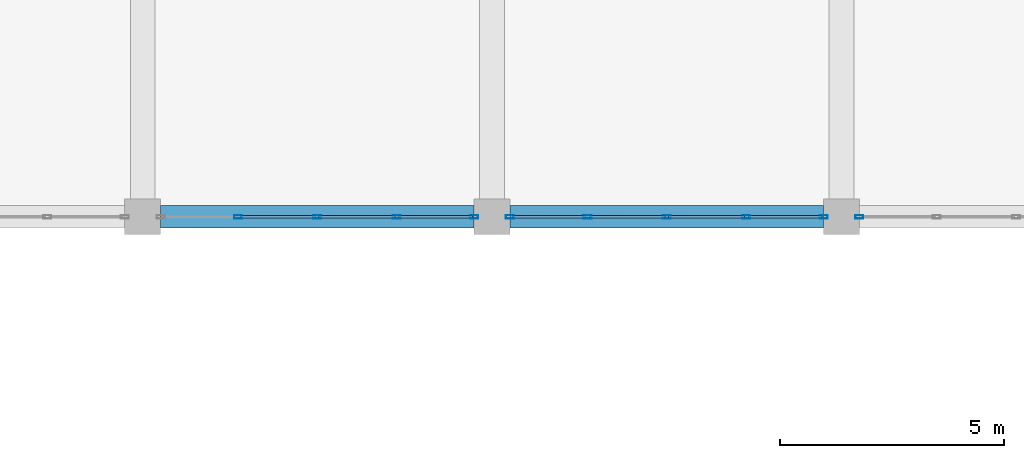
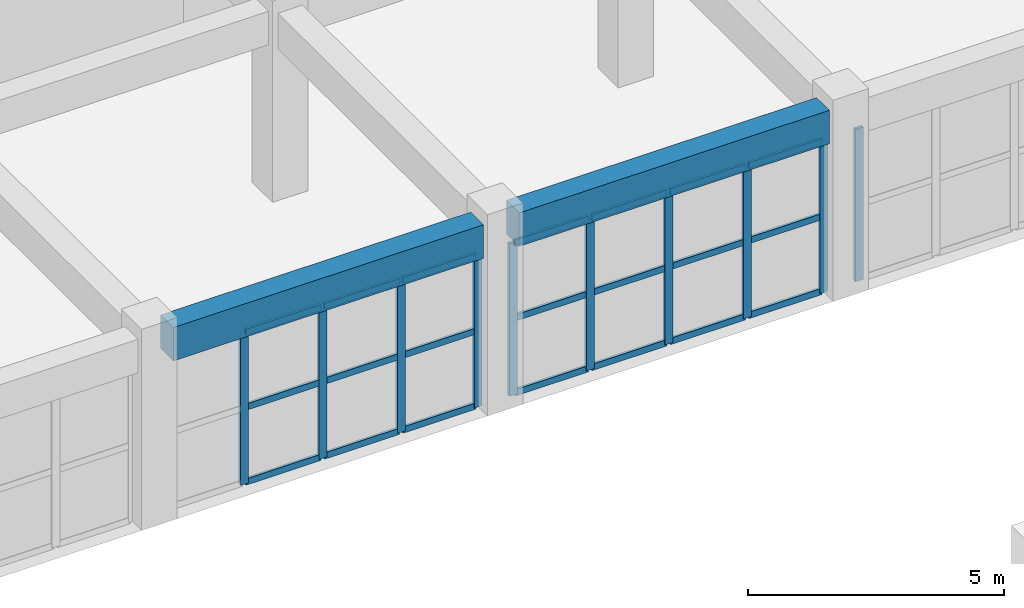
# One storey, part 43 of 139: 31 members, 2 beams, 3 elements without a shape of their own.
"""IFC4 building model written with IfcOpenShell, lengths in metres."""

import ifcopenshell
import ifcopenshell.guid

model = None  # the IFC model being written
_history = None  # IfcOwnerHistory: only IFC2X3 demands one
_inside = {}  # id of a spatial element -> (the spatial element, [elements in it])
_under = {}  # id of a project, library or spatial element -> (it, [spatial elements below it])
_declared = {}  # id of a project -> (the project, [libraries it declares])
_typed = {}  # id of a type object -> (the type object, [elements of that type])
_made_of = {}  # id of a material, layer set ... -> (it, [elements and type objects made of it])


def new_model(schema):
    """Start an empty IFC model of exactly this schema.

    Asked for "IFC4X3", IfcOpenShell would pick the latest addendum, in which some entities
    have other attributes; the version numbers below select the first issue.
    IFC2X3 requires an IfcOwnerHistory on every rooted entity: one is made here for all.
    """
    global model, _history
    if schema == "IFC4X3":
        model = ifcopenshell.file(schema_version=(4, 3, 0, 0))
    else:
        model = ifcopenshell.file(schema=schema)
    _inside.clear()
    _under.clear()
    _declared.clear()
    _typed.clear()
    _made_of.clear()
    _history = None
    if model.schema == "IFC2X3":
        org = make("IfcOrganization", Name="unknown")
        user = make(
            "IfcPersonAndOrganization",
            ThePerson=make("IfcPerson", FamilyName="unknown"),
            TheOrganization=org,
        )
        app = make(
            "IfcApplication",
            ApplicationDeveloper=org,
            Version="unknown",
            ApplicationFullName="unknown",
            ApplicationIdentifier="unknown",
        )
        _history = make(
            "IfcOwnerHistory",
            OwningUser=user,
            OwningApplication=app,
            ChangeAction="ADDED",
            CreationDate=0,
        )
    return model


def make(cls, **values):
    """One entity of the class cls with the attributes given. An attribute that is None is left unset."""
    return model.create_entity(
        cls, **{name: value for name, value in values.items() if value is not None}
    )


def rooted(cls, **values):
    """An entity with a GlobalId (a new one), such as an element, a storey or a relation."""
    return make(cls, GlobalId=ifcopenshell.guid.new(), OwnerHistory=_history, **values)


def si_unit(unit_type, name, prefix=None):
    """IfcSIUnit, for example si_unit("LENGTHUNIT", "METRE", prefix="MILLI")."""
    return make("IfcSIUnit", UnitType=unit_type, Prefix=prefix, Name=name)


def assignment(units):
    """IfcUnitAssignment: the units of a project."""
    return None if units is None else make("IfcUnitAssignment", Units=units)


def point(xyz):
    """IfcCartesianPoint."""
    return None if xyz is None else make("IfcCartesianPoint", Coordinates=xyz)


def direction(xyz):
    """IfcDirection."""
    return None if xyz is None else make("IfcDirection", DirectionRatios=xyz)


def frame(location, z_axis=None, x_axis=None):
    """IfcAxis2Placement3D, a coordinate frame: its origin and axes. An axis left out is left unset."""
    return make(
        "IfcAxis2Placement3D",
        Location=point(location),
        Axis=direction(z_axis),
        RefDirection=direction(x_axis),
    )


def frame_2d(location, x_axis=None):
    """IfcAxis2Placement2D, a coordinate frame in the plane: its origin and x axis."""
    return make(
        "IfcAxis2Placement2D", Location=point(location), RefDirection=direction(x_axis)
    )


def origin():
    """The frame at (0, 0, 0) with its axes left unset."""
    return frame((0.0, 0.0, 0.0))


def origin_2d():
    """The frame at (0, 0) in the plane with its x axis left unset."""
    return frame_2d((0.0, 0.0))


def place(relative_to, where):
    """IfcLocalPlacement: puts the frame where relative to a parent placement (None: the world)."""
    return make(
        "IfcLocalPlacement", PlacementRelTo=relative_to, RelativePlacement=where
    )


def context(
    kind, dimensions, precision=None, world=None, true_north=None, identifier=None
):
    """IfcGeometricRepresentationContext, for example the 3D "Model" context."""
    return make(
        "IfcGeometricRepresentationContext",
        ContextIdentifier=identifier,
        ContextType=kind,
        CoordinateSpaceDimension=dimensions,
        Precision=precision,
        WorldCoordinateSystem=world,
        TrueNorth=true_north,
    )


def subcontext(parent, identifier, kind, view, scale=None):
    """IfcGeometricRepresentationSubContext, for example "Body" below "Model"."""
    return make(
        "IfcGeometricRepresentationSubContext",
        ContextIdentifier=identifier,
        ContextType=kind,
        ParentContext=parent,
        TargetScale=scale,
        TargetView=view,
    )


def project(units=None, contexts=None):
    """IfcProject with its units and contexts."""
    return rooted(
        "IfcProject",
        Name="project",
        RepresentationContexts=contexts,
        UnitsInContext=assignment(units),
    )


def spatial(cls, under=None, at=None, **own):
    """A site, building, storey or space (cls), placed at a placement, below another one or the project."""
    s = rooted(cls, ObjectPlacement=at, **own)
    if under is not None:
        _under.setdefault(under.id(), (under, []))[1].append(s)
    return s


def profile(cls, at=None, kind="AREA", **sizes):
    """A parametric profile (cls). Its sizes go by their IFC names, for example OverallWidth=200.0."""
    return make(cls, ProfileType=kind, Position=at, **sizes)


def rectangle(**sizes):
    """IfcRectangleProfileDef."""
    return profile("IfcRectangleProfileDef", **sizes)


def hollow_rectangle(**sizes):
    """IfcRectangleHollowProfileDef."""
    return profile("IfcRectangleHollowProfileDef", **sizes)


def extrude(swept, where, along, depth):
    """IfcExtrudedAreaSolid: the profile swept, set in the frame where, extruded along a direction by depth."""
    return make(
        "IfcExtrudedAreaSolid",
        SweptArea=swept,
        Position=where,
        ExtrudedDirection=direction(along),
        Depth=depth,
    )


def shape(context_of_items, identifier, shape_type, items):
    """IfcShapeRepresentation: the items that make up one representation, for example the "Body"."""
    return make(
        "IfcShapeRepresentation",
        ContextOfItems=context_of_items,
        RepresentationIdentifier=identifier,
        RepresentationType=shape_type,
        Items=items,
    )


def material(Name=None, Category=None):
    """IfcMaterial."""
    return make("IfcMaterial", Name=Name, Category=Category)


def layer(
    of_material, thickness, ventilated=None, Name=None, Category=None, Priority=None
):
    """IfcMaterialLayer: one layer of a wall or slab, of a material (None: an air gap)."""
    return make(
        "IfcMaterialLayer",
        Material=of_material,
        LayerThickness=thickness,
        IsVentilated=ventilated,
        Name=Name,
        Category=Category,
        Priority=Priority,
    )


def layer_set(layers, Name=None):
    """IfcMaterialLayerSet."""
    return make("IfcMaterialLayerSet", MaterialLayers=layers, LayerSetName=Name)


def material_profile(
    of_material, cross_section, Name=None, Category=None, Priority=None
):
    """IfcMaterialProfile: a cross section and its material."""
    return make(
        "IfcMaterialProfile",
        Name=Name,
        Material=of_material,
        Profile=cross_section,
        Priority=Priority,
        Category=Category,
    )


def profile_set(profiles, Name=None, composite=None):
    """IfcMaterialProfileSet."""
    return make(
        "IfcMaterialProfileSet",
        Name=Name,
        MaterialProfiles=profiles,
        CompositeProfile=composite,
    )


def made_of(thing, what):
    """Note that an element or type object is made of a material, layer set ...; save() writes the relation."""
    if what is not None:
        _made_of.setdefault(what.id(), (what, []))[1].append(thing)
    return thing


def type_object(cls, material=None, **own):
    """A type object (cls), such as IfcWallType, which elements share."""
    return made_of(rooted(cls, **own), material)


def element(
    cls,
    number,
    at=None,
    inside=None,
    cuts=None,
    type_object=None,
    material=None,
    context=None,
    identifier="Body",
    shape_type=None,
    held_by="IfcProductDefinitionShape",
    body=None,
    shapes=None,
    **own,
):
    """One element of the class cls, such as IfcWall. Its Tag is "e" and its number.

    at: its placement. inside: the storey or other place that contains it. cuts: it is an
    opening in that element (IfcRelVoidsElement). A single representation is given by context,
    identifier, shape_type and body (its items); several are given by shapes. held_by: the class
    of the entity that holds the representations. save() writes the other relations.
    """
    e = rooted(cls, Tag="e%d" % number, ObjectPlacement=at, **own)
    if body is not None:
        shapes = [shape(context, identifier, shape_type, body)]
    if shapes is not None:
        e.Representation = make(held_by, Representations=shapes)
    if inside is not None:
        _inside.setdefault(inside.id(), (inside, []))[1].append(e)
    if cuts is not None:
        rooted(
            "IfcRelVoidsElement", RelatingBuildingElement=cuts, RelatedOpeningElement=e
        )
    if type_object is not None:
        _typed.setdefault(type_object.id(), (type_object, []))[1].append(e)
    return made_of(e, material)


def aggregate(whole, parts):
    """IfcRelAggregates: a whole, such as a stair, and the parts it consists of."""
    return rooted("IfcRelAggregates", RelatingObject=whole, RelatedObjects=parts)


def save(model, path):
    """Write the relations noted so far, then the file.

    IfcRelAggregates (storeys below a building ...), IfcRelContainedInSpatialStructure (elements
    in a storey), IfcRelDefinesByType, IfcRelAssociatesMaterial and IfcRelDeclares: one each for
    every whole, place, type object, material and project.
    """
    for whole, parts in _under.values():
        aggregate(whole, parts)
    for where, things in _inside.values():
        rooted(
            "IfcRelContainedInSpatialStructure",
            RelatedElements=things,
            RelatingStructure=where,
        )
    for kind, things in _typed.values():
        rooted("IfcRelDefinesByType", RelatedObjects=things, RelatingType=kind)
    for what, things in _made_of.values():
        rooted("IfcRelAssociatesMaterial", RelatedObjects=things, RelatingMaterial=what)
    for by, libraries in _declared.values():
        rooted("IfcRelDeclares", RelatingContext=by, RelatedDefinitions=libraries)
    model.write(path)


model = new_model("IFC4")

# Units and contexts
model_context = context("Model", 3, precision=1e-05, world=origin(), true_north=direction((0.0, 1.0)))
body_context = subcontext(model_context, "Body", "Model", "MODEL_VIEW")
ifc_project = project(units=[si_unit("LENGTHUNIT", "METRE"), si_unit("AREAUNIT", "SQUARE_METRE"), si_unit("VOLUMEUNIT", "CUBIC_METRE"), si_unit("PLANEANGLEUNIT", "RADIAN"), si_unit("MASSUNIT", "GRAM", prefix="KILO")], contexts=[model_context])

# Site, building, storey
site_placement = place(None, origin())
site = spatial("IfcSite", under=ifc_project, at=site_placement, CompositionType="ELEMENT")
building_placement = place(site_placement, origin())
building = spatial("IfcBuilding", under=site, at=building_placement, Name="Zizhar Promenade General Hospital", CompositionType="ELEMENT")
storey_placement = place(building_placement, origin())
storey = spatial("IfcBuildingStorey", under=building, at=storey_placement, Name="L00", CompositionType="ELEMENT", Elevation=0.0)

# Beams
ifc_material_1 = material(Name="Concrete C35/45", Category="concrete")
ifc_material_profile_1 = material_profile(ifc_material_1, rectangle(XDim=0.5, YDim=0.800048828125, at=origin_2d()))
ifc_profile_set_1 = profile_set([ifc_material_profile_1], Name="Concrete C35/45")
beam_type = type_object("IfcBeamType", Name="BM-RC-500x800", PredefinedType="BEAM", material=ifc_profile_set_1)
for number, where, z_axis, x_axis, name in (
    (1, (101.800048828125, 92.39990234375, 4.070068359375), (1.0, 0.0, 0.0), (0.0, 1.0, 0.0), "Grid Beam X L00 (13-11)"),
    (2, (109.60009765625, 92.39990234375, 4.070068359375), (1.0, 0.0, 0.0), (0.0, 1.0, 0.0), "Grid Beam X L00 (14-11)"),
):
    element("IfcBeam", number, at=place(storey_placement, frame(where, z_axis=z_axis, x_axis=x_axis)), inside=storey, type_object=beam_type, Name=name, PredefinedType="BEAM", context=body_context, shape_type="SweptSolid", body=[
        extrude(rectangle(XDim=0.5, YDim=0.800048828125, at=origin_2d()), origin(), (0.0, 0.0, 1.0), 7.0),
    ])

# Curtain wall, members
ifc_material_2 = material(Name="Anodised aluminium 6063-T6 and low-E glass", Category="aluminium")
ifc_layer = layer(ifc_material_2, 0.159912109375)
ifc_layer_set = layer_set([ifc_layer], Name="Anodised aluminium 6063-T6 and low-E glass")
curtain_wall_type = type_object("IfcCurtainWallType", Name="CW-DT-MOD1", PredefinedType="NOTDEFINED", material=ifc_layer_set)
curtain_wall_1_placement = place(storey_placement, origin())
curtain_wall_1 = element("IfcCurtainWall", 3, at=curtain_wall_1_placement, inside=storey, type_object=curtain_wall_type, Name="Garden Court North Surgical Glazing L00-13", PredefinedType="NOTDEFINED")
ifc_material_3 = material(Name="Anodised aluminium 6063-T6", Category="aluminium")
ifc_material_profile_2 = material_profile(ifc_material_3, hollow_rectangle(XDim=0.080078125, YDim=0.179931640625, WallThickness=0.0048828125, at=origin_2d()))
ifc_profile_set_2 = profile_set([ifc_material_profile_2], Name="Anodised aluminium 6063-T6")
member_type_1 = type_object("IfcMemberType", Name="CWM-ALU-180x80", PredefinedType="MULLION", material=ifc_profile_set_2)
member_1_placement = place(storey_placement, frame((108.800048828125, 92.39990234375, 0.0), z_axis=(0.0, 0.0, 1.0), x_axis=(0.0, -1.0, 0.0)))
member_1 = element("IfcMember", 4, at=member_1_placement, type_object=member_type_1, Name="CW-07 mullion 1", PredefinedType="MULLION", context=body_context, shape_type="SweptSolid", body=[
    extrude(hollow_rectangle(XDim=0.080078125, YDim=0.179931640625, WallThickness=0.0048828125, at=origin_2d()), origin(), (0.0, 0.0, 1.0), 3.6298828125),
])
member_2_placement = place(storey_placement, frame((107.070068359375, 92.39990234375, 0.0), z_axis=(0.0, 0.0, 1.0), x_axis=(0.0, -1.0, 0.0)))
member_2 = element("IfcMember", 5, at=member_2_placement, type_object=member_type_1, Name="CW-07 mullion 2", PredefinedType="MULLION", context=body_context, shape_type="SweptSolid", body=[
    extrude(hollow_rectangle(XDim=0.080078125, YDim=0.179931640625, WallThickness=0.0048828125, at=origin_2d()), origin(), (0.0, 0.0, 1.0), 3.6298828125),
])
member_3_placement = place(storey_placement, frame((105.300048828125, 92.39990234375, 0.0), z_axis=(0.0, 0.0, 1.0), x_axis=(0.0, -1.0, 0.0)))
member_3 = element("IfcMember", 6, at=member_3_placement, type_object=member_type_1, Name="CW-07 mullion 3", PredefinedType="MULLION", context=body_context, shape_type="SweptSolid", body=[
    extrude(hollow_rectangle(XDim=0.080078125, YDim=0.179931640625, WallThickness=0.0048828125, at=origin_2d()), origin(), (0.0, 0.0, 1.0), 3.6298828125),
])
member_4_placement = place(storey_placement, frame((103.530029296875, 92.39990234375, 0.0), z_axis=(0.0, 0.0, 1.0), x_axis=(0.0, -1.0, 0.0)))
member_4 = element("IfcMember", 7, at=member_4_placement, type_object=member_type_1, Name="CW-07 mullion 4", PredefinedType="MULLION", context=body_context, shape_type="SweptSolid", body=[
    extrude(hollow_rectangle(XDim=0.080078125, YDim=0.179931640625, WallThickness=0.0048828125, at=origin_2d()), origin(), (0.0, 0.0, 1.0), 3.6298828125),
])

curtain_wall_2_placement = place(storey_placement, origin())
curtain_wall_2 = element("IfcCurtainWall", 8, at=curtain_wall_2_placement, inside=storey, type_object=curtain_wall_type, Name="Garden Court North Surgical Glazing L00-14", PredefinedType="NOTDEFINED")
member_5_placement = place(storey_placement, frame((116.60009765625, 92.39990234375, 0.0), z_axis=(0.0, 0.0, 1.0), x_axis=(0.0, -1.0, 0.0)))
member_5 = element("IfcMember", 9, at=member_5_placement, type_object=member_type_1, Name="CW-07 mullion 1", PredefinedType="MULLION", context=body_context, shape_type="SweptSolid", body=[
    extrude(hollow_rectangle(XDim=0.080078125, YDim=0.179931640625, WallThickness=0.0048828125, at=origin_2d()), origin(), (0.0, 0.0, 1.0), 3.6298828125),
])
member_6_placement = place(storey_placement, frame((114.8701171875, 92.39990234375, 0.0), z_axis=(0.0, 0.0, 1.0), x_axis=(0.0, -1.0, 0.0)))
member_6 = element("IfcMember", 10, at=member_6_placement, type_object=member_type_1, Name="CW-07 mullion 2", PredefinedType="MULLION", context=body_context, shape_type="SweptSolid", body=[
    extrude(hollow_rectangle(XDim=0.080078125, YDim=0.179931640625, WallThickness=0.0048828125, at=origin_2d()), origin(), (0.0, 0.0, 1.0), 3.6298828125),
])
member_7_placement = place(storey_placement, frame((113.10009765625, 92.39990234375, 0.0), z_axis=(0.0, 0.0, 1.0), x_axis=(0.0, -1.0, 0.0)))
member_7 = element("IfcMember", 11, at=member_7_placement, type_object=member_type_1, Name="CW-07 mullion 3", PredefinedType="MULLION", context=body_context, shape_type="SweptSolid", body=[
    extrude(hollow_rectangle(XDim=0.080078125, YDim=0.179931640625, WallThickness=0.0048828125, at=origin_2d()), origin(), (0.0, 0.0, 1.0), 3.6298828125),
])
member_8_placement = place(storey_placement, frame((111.330078125, 92.39990234375, 0.0), z_axis=(0.0, 0.0, 1.0), x_axis=(0.0, -1.0, 0.0)))
member_8 = element("IfcMember", 12, at=member_8_placement, type_object=member_type_1, Name="CW-07 mullion 4", PredefinedType="MULLION", context=body_context, shape_type="SweptSolid", body=[
    extrude(hollow_rectangle(XDim=0.080078125, YDim=0.179931640625, WallThickness=0.0048828125, at=origin_2d()), origin(), (0.0, 0.0, 1.0), 3.6298828125),
])
member_9_placement = place(storey_placement, frame((109.60009765625, 92.39990234375, 0.0), z_axis=(0.0, 0.0, 1.0), x_axis=(0.0, -1.0, 0.0)))
member_9 = element("IfcMember", 13, at=member_9_placement, type_object=member_type_1, Name="CW-07 mullion 5", PredefinedType="MULLION", context=body_context, shape_type="SweptSolid", body=[
    extrude(hollow_rectangle(XDim=0.080078125, YDim=0.179931640625, WallThickness=0.0048828125, at=origin_2d()), origin(), (0.0, 0.0, 1.0), 3.6298828125),
])

# Curtain wall, member
curtain_wall_3_placement = place(storey_placement, origin())
curtain_wall_3 = element("IfcCurtainWall", 14, at=curtain_wall_3_placement, inside=storey, type_object=curtain_wall_type, Name="Garden Court North Surgical Glazing L00-15", PredefinedType="NOTDEFINED")
member_10_placement = place(storey_placement, frame((117.39990234375, 92.39990234375, 0.0), z_axis=(0.0, 0.0, 1.0), x_axis=(0.0, -1.0, 0.0)))
member_10 = element("IfcMember", 15, at=member_10_placement, type_object=member_type_1, Name="CW-07 mullion 5", PredefinedType="MULLION", context=body_context, shape_type="SweptSolid", body=[
    extrude(hollow_rectangle(XDim=0.080078125, YDim=0.179931640625, WallThickness=0.0048828125, at=origin_2d()), origin(), (0.0, 0.0, 1.0), 3.6298828125),
])
aggregate(curtain_wall_3, [member_10])

# Member
ifc_material_4 = material(Name="Anodised aluminium 6063-T6", Category="aluminium")
ifc_material_profile_3 = material_profile(ifc_material_4, hollow_rectangle(XDim=0.06005859375, YDim=0.14990234375, WallThickness=0.00390625, at=origin_2d()))
ifc_profile_set_3 = profile_set([ifc_material_profile_3], Name="Anodised aluminium 6063-T6")
member_type_2 = type_object("IfcMemberType", Name="CWT-ALU-150x60", PredefinedType="USERDEFINED", material=ifc_profile_set_3)
member_11_placement = place(storey_placement, frame((108.760009765625, 92.39990234375, 0.030029296875), z_axis=(-1.0, 0.0, 0.0), x_axis=(0.0, -1.0, 0.0)))
member_11 = element("IfcMember", 16, at=member_11_placement, type_object=member_type_2, Name="CW-07 transom 1.1", ObjectType="TRANSOM", PredefinedType="USERDEFINED", context=body_context, shape_type="SweptSolid", body=[
    extrude(hollow_rectangle(XDim=0.06005859375, YDim=0.14990234375, WallThickness=0.00390625, at=origin_2d()), origin(), (0.0, 0.0, 1.0), 1.64990234375),
])

member_12_placement = place(storey_placement, frame((108.760009765625, 92.39990234375, 1.81494140625), z_axis=(-1.0, 0.0, 0.0), x_axis=(0.0, -1.0, 0.0)))
member_12 = element("IfcMember", 17, at=member_12_placement, type_object=member_type_2, Name="CW-07 transom 1.2", ObjectType="TRANSOM", PredefinedType="USERDEFINED", context=body_context, shape_type="SweptSolid", body=[
    extrude(hollow_rectangle(XDim=0.06005859375, YDim=0.14990234375, WallThickness=0.00390625, at=origin_2d()), origin(), (0.0, 0.0, 1.0), 1.64990234375),
])

member_13_placement = place(storey_placement, frame((108.760009765625, 92.39990234375, 3.60009765625), z_axis=(-1.0, 0.0, 0.0), x_axis=(0.0, -1.0, 0.0)))
member_13 = element("IfcMember", 18, at=member_13_placement, type_object=member_type_2, Name="CW-07 transom 1.3", ObjectType="TRANSOM", PredefinedType="USERDEFINED", context=body_context, shape_type="SweptSolid", body=[
    extrude(hollow_rectangle(XDim=0.06005859375, YDim=0.14990234375, WallThickness=0.00390625, at=origin_2d()), origin(), (0.0, 0.0, 1.0), 1.64990234375),
])

member_14_placement = place(storey_placement, frame((107.030029296875, 92.39990234375, 0.030029296875), z_axis=(-1.0, 0.0, 0.0), x_axis=(0.0, -1.0, 0.0)))
member_14 = element("IfcMember", 19, at=member_14_placement, type_object=member_type_2, Name="CW-07 transom 2.1", ObjectType="TRANSOM", PredefinedType="USERDEFINED", context=body_context, shape_type="SweptSolid", body=[
    extrude(hollow_rectangle(XDim=0.06005859375, YDim=0.14990234375, WallThickness=0.00390625, at=origin_2d()), origin(), (0.0, 0.0, 1.0), 1.68994140625),
])

member_15_placement = place(storey_placement, frame((107.030029296875, 92.39990234375, 1.81494140625), z_axis=(-1.0, 0.0, 0.0), x_axis=(0.0, -1.0, 0.0)))
member_15 = element("IfcMember", 20, at=member_15_placement, type_object=member_type_2, Name="CW-07 transom 2.2", ObjectType="TRANSOM", PredefinedType="USERDEFINED", context=body_context, shape_type="SweptSolid", body=[
    extrude(hollow_rectangle(XDim=0.06005859375, YDim=0.14990234375, WallThickness=0.00390625, at=origin_2d()), origin(), (0.0, 0.0, 1.0), 1.68994140625),
])

member_16_placement = place(storey_placement, frame((107.030029296875, 92.39990234375, 3.60009765625), z_axis=(-1.0, 0.0, 0.0), x_axis=(0.0, -1.0, 0.0)))
member_16 = element("IfcMember", 21, at=member_16_placement, type_object=member_type_2, Name="CW-07 transom 2.3", ObjectType="TRANSOM", PredefinedType="USERDEFINED", context=body_context, shape_type="SweptSolid", body=[
    extrude(hollow_rectangle(XDim=0.06005859375, YDim=0.14990234375, WallThickness=0.00390625, at=origin_2d()), origin(), (0.0, 0.0, 1.0), 1.68994140625),
])

member_17_placement = place(storey_placement, frame((105.260009765625, 92.39990234375, 0.030029296875), z_axis=(-1.0, 0.0, 0.0), x_axis=(0.0, -1.0, 0.0)))
member_17 = element("IfcMember", 22, at=member_17_placement, type_object=member_type_2, Name="CW-07 transom 3.1", ObjectType="TRANSOM", PredefinedType="USERDEFINED", context=body_context, shape_type="SweptSolid", body=[
    extrude(hollow_rectangle(XDim=0.06005859375, YDim=0.14990234375, WallThickness=0.00390625, at=origin_2d()), origin(), (0.0, 0.0, 1.0), 1.68994140625),
])

member_18_placement = place(storey_placement, frame((105.260009765625, 92.39990234375, 1.81494140625), z_axis=(-1.0, 0.0, 0.0), x_axis=(0.0, -1.0, 0.0)))
member_18 = element("IfcMember", 23, at=member_18_placement, type_object=member_type_2, Name="CW-07 transom 3.2", ObjectType="TRANSOM", PredefinedType="USERDEFINED", context=body_context, shape_type="SweptSolid", body=[
    extrude(hollow_rectangle(XDim=0.06005859375, YDim=0.14990234375, WallThickness=0.00390625, at=origin_2d()), origin(), (0.0, 0.0, 1.0), 1.68994140625),
])

member_19_placement = place(storey_placement, frame((105.260009765625, 92.39990234375, 3.60009765625), z_axis=(-1.0, 0.0, 0.0), x_axis=(0.0, -1.0, 0.0)))
member_19 = element("IfcMember", 24, at=member_19_placement, type_object=member_type_2, Name="CW-07 transom 3.3", ObjectType="TRANSOM", PredefinedType="USERDEFINED", context=body_context, shape_type="SweptSolid", body=[
    extrude(hollow_rectangle(XDim=0.06005859375, YDim=0.14990234375, WallThickness=0.00390625, at=origin_2d()), origin(), (0.0, 0.0, 1.0), 1.68994140625),
])

aggregate(curtain_wall_1, [member_1, member_2, member_3, member_4, member_11, member_12, member_13, member_14, member_15, member_16, member_17, member_18, member_19])

member_20_placement = place(storey_placement, frame((116.56005859375, 92.39990234375, 0.030029296875), z_axis=(-1.0, 0.0, 0.0), x_axis=(0.0, -1.0, 0.0)))
member_20 = element("IfcMember", 25, at=member_20_placement, type_object=member_type_2, Name="CW-07 transom 1.1", ObjectType="TRANSOM", PredefinedType="USERDEFINED", context=body_context, shape_type="SweptSolid", body=[
    extrude(hollow_rectangle(XDim=0.06005859375, YDim=0.14990234375, WallThickness=0.00390625, at=origin_2d()), origin(), (0.0, 0.0, 1.0), 1.650146484375),
])

member_21_placement = place(storey_placement, frame((116.56005859375, 92.39990234375, 1.81494140625), z_axis=(-1.0, 0.0, 0.0), x_axis=(0.0, -1.0, 0.0)))
member_21 = element("IfcMember", 26, at=member_21_placement, type_object=member_type_2, Name="CW-07 transom 1.2", ObjectType="TRANSOM", PredefinedType="USERDEFINED", context=body_context, shape_type="SweptSolid", body=[
    extrude(hollow_rectangle(XDim=0.06005859375, YDim=0.14990234375, WallThickness=0.00390625, at=origin_2d()), origin(), (0.0, 0.0, 1.0), 1.650146484375),
])

member_22_placement = place(storey_placement, frame((116.56005859375, 92.39990234375, 3.60009765625), z_axis=(-1.0, 0.0, 0.0), x_axis=(0.0, -1.0, 0.0)))
member_22 = element("IfcMember", 27, at=member_22_placement, type_object=member_type_2, Name="CW-07 transom 1.3", ObjectType="TRANSOM", PredefinedType="USERDEFINED", context=body_context, shape_type="SweptSolid", body=[
    extrude(hollow_rectangle(XDim=0.06005859375, YDim=0.14990234375, WallThickness=0.00390625, at=origin_2d()), origin(), (0.0, 0.0, 1.0), 1.650146484375),
])

member_23_placement = place(storey_placement, frame((114.830078125, 92.39990234375, 0.030029296875), z_axis=(-1.0, 0.0, 0.0), x_axis=(0.0, -1.0, 0.0)))
member_23 = element("IfcMember", 28, at=member_23_placement, type_object=member_type_2, Name="CW-07 transom 2.1", ObjectType="TRANSOM", PredefinedType="USERDEFINED", context=body_context, shape_type="SweptSolid", body=[
    extrude(hollow_rectangle(XDim=0.06005859375, YDim=0.14990234375, WallThickness=0.00390625, at=origin_2d()), origin(), (0.0, 0.0, 1.0), 1.690185546875),
])

member_24_placement = place(storey_placement, frame((114.830078125, 92.39990234375, 1.81494140625), z_axis=(-1.0, 0.0, 0.0), x_axis=(0.0, -1.0, 0.0)))
member_24 = element("IfcMember", 29, at=member_24_placement, type_object=member_type_2, Name="CW-07 transom 2.2", ObjectType="TRANSOM", PredefinedType="USERDEFINED", context=body_context, shape_type="SweptSolid", body=[
    extrude(hollow_rectangle(XDim=0.06005859375, YDim=0.14990234375, WallThickness=0.00390625, at=origin_2d()), origin(), (0.0, 0.0, 1.0), 1.690185546875),
])

member_25_placement = place(storey_placement, frame((114.830078125, 92.39990234375, 3.60009765625), z_axis=(-1.0, 0.0, 0.0), x_axis=(0.0, -1.0, 0.0)))
member_25 = element("IfcMember", 30, at=member_25_placement, type_object=member_type_2, Name="CW-07 transom 2.3", ObjectType="TRANSOM", PredefinedType="USERDEFINED", context=body_context, shape_type="SweptSolid", body=[
    extrude(hollow_rectangle(XDim=0.06005859375, YDim=0.14990234375, WallThickness=0.00390625, at=origin_2d()), origin(), (0.0, 0.0, 1.0), 1.690185546875),
])

member_26_placement = place(storey_placement, frame((113.06005859375, 92.39990234375, 0.030029296875), z_axis=(-1.0, 0.0, 0.0), x_axis=(0.0, -1.0, 0.0)))
member_26 = element("IfcMember", 31, at=member_26_placement, type_object=member_type_2, Name="CW-07 transom 3.1", ObjectType="TRANSOM", PredefinedType="USERDEFINED", context=body_context, shape_type="SweptSolid", body=[
    extrude(hollow_rectangle(XDim=0.06005859375, YDim=0.14990234375, WallThickness=0.00390625, at=origin_2d()), origin(), (0.0, 0.0, 1.0), 1.68994140625),
])

member_27_placement = place(storey_placement, frame((113.06005859375, 92.39990234375, 1.81494140625), z_axis=(-1.0, 0.0, 0.0), x_axis=(0.0, -1.0, 0.0)))
member_27 = element("IfcMember", 32, at=member_27_placement, type_object=member_type_2, Name="CW-07 transom 3.2", ObjectType="TRANSOM", PredefinedType="USERDEFINED", context=body_context, shape_type="SweptSolid", body=[
    extrude(hollow_rectangle(XDim=0.06005859375, YDim=0.14990234375, WallThickness=0.00390625, at=origin_2d()), origin(), (0.0, 0.0, 1.0), 1.68994140625),
])

member_28_placement = place(storey_placement, frame((113.06005859375, 92.39990234375, 3.60009765625), z_axis=(-1.0, 0.0, 0.0), x_axis=(0.0, -1.0, 0.0)))
member_28 = element("IfcMember", 33, at=member_28_placement, type_object=member_type_2, Name="CW-07 transom 3.3", ObjectType="TRANSOM", PredefinedType="USERDEFINED", context=body_context, shape_type="SweptSolid", body=[
    extrude(hollow_rectangle(XDim=0.06005859375, YDim=0.14990234375, WallThickness=0.00390625, at=origin_2d()), origin(), (0.0, 0.0, 1.0), 1.68994140625),
])

member_29_placement = place(storey_placement, frame((111.2900390625, 92.39990234375, 0.030029296875), z_axis=(-1.0, 0.0, 0.0), x_axis=(0.0, -1.0, 0.0)))
member_29 = element("IfcMember", 34, at=member_29_placement, type_object=member_type_2, Name="CW-07 transom 4.1", ObjectType="TRANSOM", PredefinedType="USERDEFINED", context=body_context, shape_type="SweptSolid", body=[
    extrude(hollow_rectangle(XDim=0.06005859375, YDim=0.14990234375, WallThickness=0.00390625, at=origin_2d()), origin(), (0.0, 0.0, 1.0), 1.650146484375),
])

member_30_placement = place(storey_placement, frame((111.2900390625, 92.39990234375, 1.81494140625), z_axis=(-1.0, 0.0, 0.0), x_axis=(0.0, -1.0, 0.0)))
member_30 = element("IfcMember", 35, at=member_30_placement, type_object=member_type_2, Name="CW-07 transom 4.2", ObjectType="TRANSOM", PredefinedType="USERDEFINED", context=body_context, shape_type="SweptSolid", body=[
    extrude(hollow_rectangle(XDim=0.06005859375, YDim=0.14990234375, WallThickness=0.00390625, at=origin_2d()), origin(), (0.0, 0.0, 1.0), 1.650146484375),
])

member_31_placement = place(storey_placement, frame((111.2900390625, 92.39990234375, 3.60009765625), z_axis=(-1.0, 0.0, 0.0), x_axis=(0.0, -1.0, 0.0)))
member_31 = element("IfcMember", 36, at=member_31_placement, type_object=member_type_2, Name="CW-07 transom 4.3", ObjectType="TRANSOM", PredefinedType="USERDEFINED", context=body_context, shape_type="SweptSolid", body=[
    extrude(hollow_rectangle(XDim=0.06005859375, YDim=0.14990234375, WallThickness=0.00390625, at=origin_2d()), origin(), (0.0, 0.0, 1.0), 1.650146484375),
])

aggregate(curtain_wall_2, [member_5, member_6, member_7, member_8, member_9, member_20, member_21, member_22, member_23, member_24, member_25, member_26, member_27, member_28, member_29, member_30, member_31])

save(model, "model.ifc")
